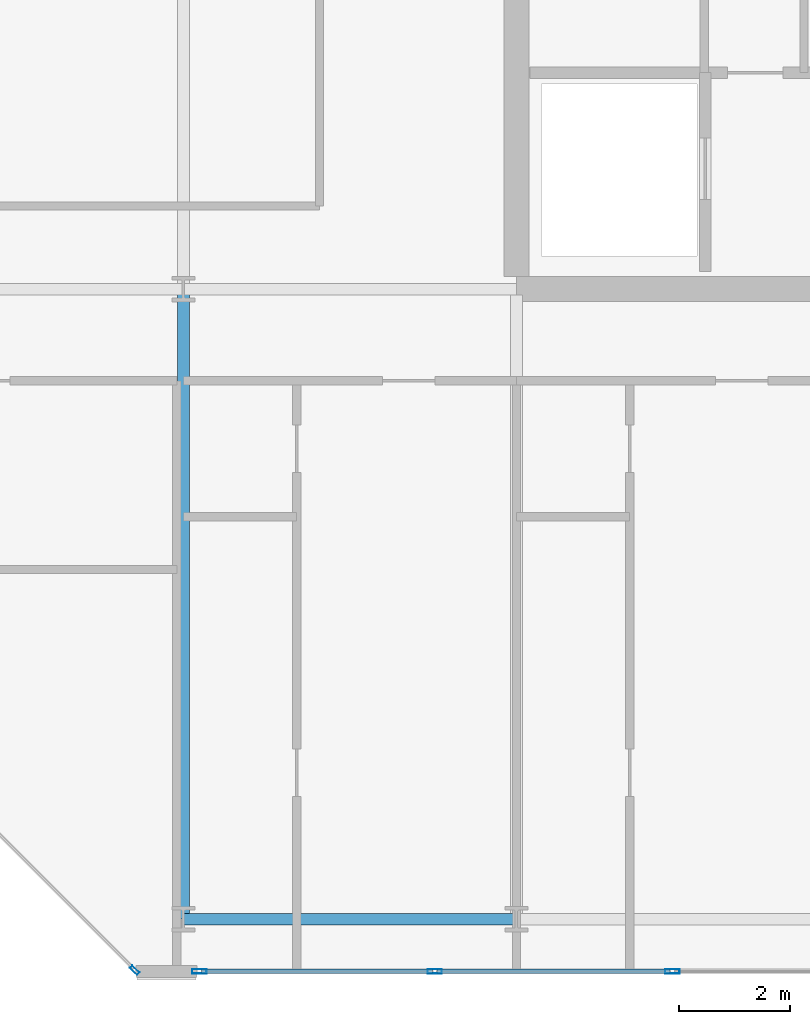
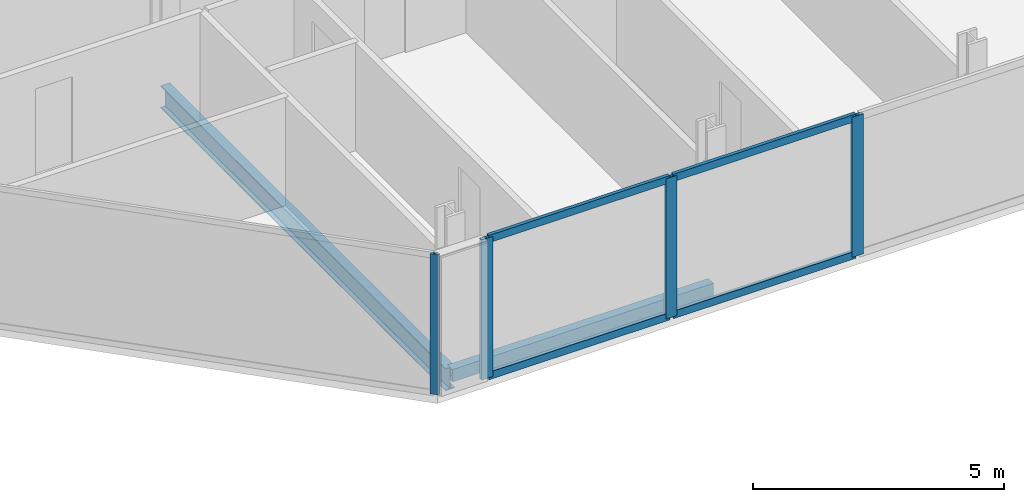
# One storey, part 4 of 19: 8 members, 2 beams, 2 elements without a shape of their own.
"""IFC4 building model written with IfcOpenShell, lengths in metres."""

import ifcopenshell
import ifcopenshell.guid

model = None  # the IFC model being written
_history = None  # IfcOwnerHistory: only IFC2X3 demands one
_inside = {}  # id of a spatial element -> (the spatial element, [elements in it])
_under = {}  # id of a project, library or spatial element -> (it, [spatial elements below it])
_declared = {}  # id of a project -> (the project, [libraries it declares])
_typed = {}  # id of a type object -> (the type object, [elements of that type])
_made_of = {}  # id of a material, layer set ... -> (it, [elements and type objects made of it])


def new_model(schema):
    """Start an empty IFC model of exactly this schema.

    Asked for "IFC4X3", IfcOpenShell would pick the latest addendum, in which some entities
    have other attributes; the version numbers below select the first issue.
    IFC2X3 requires an IfcOwnerHistory on every rooted entity: one is made here for all.
    """
    global model, _history
    if schema == "IFC4X3":
        model = ifcopenshell.file(schema_version=(4, 3, 0, 0))
    else:
        model = ifcopenshell.file(schema=schema)
    _inside.clear()
    _under.clear()
    _declared.clear()
    _typed.clear()
    _made_of.clear()
    _history = None
    if model.schema == "IFC2X3":
        org = make("IfcOrganization", Name="unknown")
        user = make(
            "IfcPersonAndOrganization",
            ThePerson=make("IfcPerson", FamilyName="unknown"),
            TheOrganization=org,
        )
        app = make(
            "IfcApplication",
            ApplicationDeveloper=org,
            Version="unknown",
            ApplicationFullName="unknown",
            ApplicationIdentifier="unknown",
        )
        _history = make(
            "IfcOwnerHistory",
            OwningUser=user,
            OwningApplication=app,
            ChangeAction="ADDED",
            CreationDate=0,
        )
    return model


def make(cls, **values):
    """One entity of the class cls with the attributes given. An attribute that is None is left unset."""
    return model.create_entity(
        cls, **{name: value for name, value in values.items() if value is not None}
    )


def rooted(cls, **values):
    """An entity with a GlobalId (a new one), such as an element, a storey or a relation."""
    return make(cls, GlobalId=ifcopenshell.guid.new(), OwnerHistory=_history, **values)


def si_unit(unit_type, name, prefix=None):
    """IfcSIUnit, for example si_unit("LENGTHUNIT", "METRE", prefix="MILLI")."""
    return make("IfcSIUnit", UnitType=unit_type, Prefix=prefix, Name=name)


def assignment(units):
    """IfcUnitAssignment: the units of a project."""
    return None if units is None else make("IfcUnitAssignment", Units=units)


def point(xyz):
    """IfcCartesianPoint."""
    return None if xyz is None else make("IfcCartesianPoint", Coordinates=xyz)


def direction(xyz):
    """IfcDirection."""
    return None if xyz is None else make("IfcDirection", DirectionRatios=xyz)


def frame(location, z_axis=None, x_axis=None):
    """IfcAxis2Placement3D, a coordinate frame: its origin and axes. An axis left out is left unset."""
    return make(
        "IfcAxis2Placement3D",
        Location=point(location),
        Axis=direction(z_axis),
        RefDirection=direction(x_axis),
    )


def frame_2d(location, x_axis=None):
    """IfcAxis2Placement2D, a coordinate frame in the plane: its origin and x axis."""
    return make(
        "IfcAxis2Placement2D", Location=point(location), RefDirection=direction(x_axis)
    )


def origin():
    """The frame at (0, 0, 0) with its axes left unset."""
    return frame((0.0, 0.0, 0.0))


def origin_2d():
    """The frame at (0, 0) in the plane with its x axis left unset."""
    return frame_2d((0.0, 0.0))


def place(relative_to, where):
    """IfcLocalPlacement: puts the frame where relative to a parent placement (None: the world)."""
    return make(
        "IfcLocalPlacement", PlacementRelTo=relative_to, RelativePlacement=where
    )


def context(
    kind, dimensions, precision=None, world=None, true_north=None, identifier=None
):
    """IfcGeometricRepresentationContext, for example the 3D "Model" context."""
    return make(
        "IfcGeometricRepresentationContext",
        ContextIdentifier=identifier,
        ContextType=kind,
        CoordinateSpaceDimension=dimensions,
        Precision=precision,
        WorldCoordinateSystem=world,
        TrueNorth=true_north,
    )


def subcontext(parent, identifier, kind, view, scale=None):
    """IfcGeometricRepresentationSubContext, for example "Body" below "Model"."""
    return make(
        "IfcGeometricRepresentationSubContext",
        ContextIdentifier=identifier,
        ContextType=kind,
        ParentContext=parent,
        TargetScale=scale,
        TargetView=view,
    )


def project(units=None, contexts=None):
    """IfcProject with its units and contexts."""
    return rooted(
        "IfcProject",
        Name="project",
        RepresentationContexts=contexts,
        UnitsInContext=assignment(units),
    )


def spatial(cls, under=None, at=None, **own):
    """A site, building, storey or space (cls), placed at a placement, below another one or the project."""
    s = rooted(cls, ObjectPlacement=at, **own)
    if under is not None:
        _under.setdefault(under.id(), (under, []))[1].append(s)
    return s


def profile(cls, at=None, kind="AREA", **sizes):
    """A parametric profile (cls). Its sizes go by their IFC names, for example OverallWidth=200.0."""
    return make(cls, ProfileType=kind, Position=at, **sizes)


def hollow_rectangle(**sizes):
    """IfcRectangleHollowProfileDef."""
    return profile("IfcRectangleHollowProfileDef", **sizes)


def i_section(**sizes):
    """IfcIShapeProfileDef."""
    return profile("IfcIShapeProfileDef", **sizes)


def extrude(swept, where, along, depth):
    """IfcExtrudedAreaSolid: the profile swept, set in the frame where, extruded along a direction by depth."""
    return make(
        "IfcExtrudedAreaSolid",
        SweptArea=swept,
        Position=where,
        ExtrudedDirection=direction(along),
        Depth=depth,
    )


def shape(context_of_items, identifier, shape_type, items):
    """IfcShapeRepresentation: the items that make up one representation, for example the "Body"."""
    return make(
        "IfcShapeRepresentation",
        ContextOfItems=context_of_items,
        RepresentationIdentifier=identifier,
        RepresentationType=shape_type,
        Items=items,
    )


def material(Name=None, Category=None):
    """IfcMaterial."""
    return make("IfcMaterial", Name=Name, Category=Category)


def layer(
    of_material, thickness, ventilated=None, Name=None, Category=None, Priority=None
):
    """IfcMaterialLayer: one layer of a wall or slab, of a material (None: an air gap)."""
    return make(
        "IfcMaterialLayer",
        Material=of_material,
        LayerThickness=thickness,
        IsVentilated=ventilated,
        Name=Name,
        Category=Category,
        Priority=Priority,
    )


def layer_set(layers, Name=None):
    """IfcMaterialLayerSet."""
    return make("IfcMaterialLayerSet", MaterialLayers=layers, LayerSetName=Name)


def material_profile(
    of_material, cross_section, Name=None, Category=None, Priority=None
):
    """IfcMaterialProfile: a cross section and its material."""
    return make(
        "IfcMaterialProfile",
        Name=Name,
        Material=of_material,
        Profile=cross_section,
        Priority=Priority,
        Category=Category,
    )


def profile_set(profiles, Name=None, composite=None):
    """IfcMaterialProfileSet."""
    return make(
        "IfcMaterialProfileSet",
        Name=Name,
        MaterialProfiles=profiles,
        CompositeProfile=composite,
    )


def made_of(thing, what):
    """Note that an element or type object is made of a material, layer set ...; save() writes the relation."""
    if what is not None:
        _made_of.setdefault(what.id(), (what, []))[1].append(thing)
    return thing


def type_object(cls, material=None, **own):
    """A type object (cls), such as IfcWallType, which elements share."""
    return made_of(rooted(cls, **own), material)


def element(
    cls,
    number,
    at=None,
    inside=None,
    cuts=None,
    type_object=None,
    material=None,
    context=None,
    identifier="Body",
    shape_type=None,
    held_by="IfcProductDefinitionShape",
    body=None,
    shapes=None,
    **own,
):
    """One element of the class cls, such as IfcWall. Its Tag is "e" and its number.

    at: its placement. inside: the storey or other place that contains it. cuts: it is an
    opening in that element (IfcRelVoidsElement). A single representation is given by context,
    identifier, shape_type and body (its items); several are given by shapes. held_by: the class
    of the entity that holds the representations. save() writes the other relations.
    """
    e = rooted(cls, Tag="e%d" % number, ObjectPlacement=at, **own)
    if body is not None:
        shapes = [shape(context, identifier, shape_type, body)]
    if shapes is not None:
        e.Representation = make(held_by, Representations=shapes)
    if inside is not None:
        _inside.setdefault(inside.id(), (inside, []))[1].append(e)
    if cuts is not None:
        rooted(
            "IfcRelVoidsElement", RelatingBuildingElement=cuts, RelatedOpeningElement=e
        )
    if type_object is not None:
        _typed.setdefault(type_object.id(), (type_object, []))[1].append(e)
    return made_of(e, material)


def aggregate(whole, parts):
    """IfcRelAggregates: a whole, such as a stair, and the parts it consists of."""
    return rooted("IfcRelAggregates", RelatingObject=whole, RelatedObjects=parts)


def save(model, path):
    """Write the relations noted so far, then the file.

    IfcRelAggregates (storeys below a building ...), IfcRelContainedInSpatialStructure (elements
    in a storey), IfcRelDefinesByType, IfcRelAssociatesMaterial and IfcRelDeclares: one each for
    every whole, place, type object, material and project.
    """
    for whole, parts in _under.values():
        aggregate(whole, parts)
    for where, things in _inside.values():
        rooted(
            "IfcRelContainedInSpatialStructure",
            RelatedElements=things,
            RelatingStructure=where,
        )
    for kind, things in _typed.values():
        rooted("IfcRelDefinesByType", RelatedObjects=things, RelatingType=kind)
    for what, things in _made_of.values():
        rooted("IfcRelAssociatesMaterial", RelatedObjects=things, RelatingMaterial=what)
    for by, libraries in _declared.values():
        rooted("IfcRelDeclares", RelatingContext=by, RelatedDefinitions=libraries)
    model.write(path)


model = new_model("IFC4")

# Units and contexts
model_context = context("Model", 3, precision=1e-05, world=origin(), true_north=direction((0.0, 1.0)))
body_context = subcontext(model_context, "Body", "Model", "MODEL_VIEW")
ifc_project = project(units=[si_unit("LENGTHUNIT", "METRE"), si_unit("AREAUNIT", "SQUARE_METRE"), si_unit("VOLUMEUNIT", "CUBIC_METRE"), si_unit("PLANEANGLEUNIT", "RADIAN"), si_unit("MASSUNIT", "GRAM", prefix="KILO")], contexts=[model_context])

# Site, building, storey
site_placement = place(None, origin())
site = spatial("IfcSite", under=ifc_project, at=site_placement, CompositionType="ELEMENT")
building_placement = place(site_placement, origin())
building = spatial("IfcBuilding", under=site, at=building_placement, Name="Tanjung Sevakor Pilgrim Tower", CompositionType="ELEMENT")
storey_placement = place(building_placement, frame((0.0, 0.0, 260.699951171875)))
storey = spatial("IfcBuildingStorey", under=building, at=storey_placement, Name="L73", CompositionType="ELEMENT", Elevation=260.699951171875)

# Beams
ifc_material_1 = material(Name="Steel S355J2", Category="steel")
ifc_material_profile_1 = material_profile(ifc_material_1, i_section(OverallWidth=0.210693359375, OverallDepth=0.53955078125, WebThickness=0.01171875, FlangeThickness=0.018798828125, FilletRadius=0.0126953125, at=origin_2d()))
ifc_profile_set_1 = profile_set([ifc_material_profile_1], Name="Steel S355J2")
beam_type_1 = type_object("IfcBeamType", Name="BM-B-G6-UB_533x210x109", PredefinedType="BEAM", material=ifc_profile_set_1)
beam_1_placement = place(storey_placement, frame((72.0, 13.25, -0.48974609375), z_axis=(0.0, 1.0, 0.0), x_axis=(-1.0, 0.0, 0.0)))
element("IfcBeam", 1, at=beam_1_placement, inside=storey, type_object=beam_type_1, Name="L73 EAST Girder 002", PredefinedType="BEAM", context=body_context, shape_type="SweptSolid", body=[
    extrude(i_section(OverallWidth=0.210693359375, OverallDepth=0.53955078125, WebThickness=0.01171875, FlangeThickness=0.018798828125, FilletRadius=0.0126953125, at=origin_2d()), origin(), (0.0, 0.0, 1.0), 11.35009765625),
])
ifc_material_2 = material(Name="Steel S355J2", Category="steel")
ifc_material_profile_2 = material_profile(ifc_material_2, hollow_rectangle(XDim=0.199951171875, YDim=0.300048828125, WallThickness=0.012451171875, at=origin_2d()))
ifc_profile_set_2 = profile_set([ifc_material_profile_2], Name="Steel S355J2")
beam_type_2 = type_object("IfcBeamType", Name="BM-B-SP3-RHS_300x200x12.5", PredefinedType="SPANDREL", material=ifc_profile_set_2)
beam_2_placement = place(storey_placement, frame((72.0, 13.25, -0.369873046875), z_axis=(1.0, 0.0, 0.0), x_axis=(0.0, 1.0, 0.0)))
element("IfcBeam", 2, at=beam_2_placement, inside=storey, type_object=beam_type_2, Name="L73 Spandrel EAST S-01", PredefinedType="SPANDREL", context=body_context, shape_type="SweptSolid", body=[
    extrude(hollow_rectangle(XDim=0.199951171875, YDim=0.300048828125, WallThickness=0.012451171875, at=origin_2d()), origin(), (0.0, 0.0, 1.0), 6.0),
])

# Curtain wall, member
ifc_material_3 = material(Name="Aluminium 6063-T6 and Low-E Glass", Category="aluminium")
ifc_layer_1 = layer(ifc_material_3, 0.179931640625)
ifc_layer_set_1 = layer_set([ifc_layer_1], Name="CW-SYS-CHAM")
curtain_wall_type_1 = type_object("IfcCurtainWallType", Name="CW-SYS-CHAM", PredefinedType="NOTDEFINED", material=ifc_layer_set_1)
curtain_wall_1_placement = place(storey_placement, origin())
curtain_wall_1 = element("IfcCurtainWall", 3, at=curtain_wall_1_placement, inside=storey, type_object=curtain_wall_type_1, Name="L73 Curtain Wall CW-CHM-L73-EAST-7", PredefinedType="NOTDEFINED")
ifc_material_4 = material(Name="Aluminium 6063-T6", Category="aluminium")
ifc_material_profile_3 = material_profile(ifc_material_4, hollow_rectangle(XDim=0.06494140625, YDim=0.179931640625, WallThickness=0.00390625, at=origin_2d()))
ifc_profile_set_3 = profile_set([ifc_material_profile_3], Name="Aluminium 6063-T6")
member_type_1 = type_object("IfcMemberType", Name="TYPE-CWM-1", PredefinedType="MULLION", material=ifc_profile_set_3)
member_1_placement = place(storey_placement, frame((71.12255859375, 12.3330078125, 0.0), z_axis=(0.0, 0.0, 1.0), x_axis=(0.707106781187, 0.707106781187, 0.0)))
member_1 = element("IfcMember", 4, at=member_1_placement, type_object=member_type_1, Name="CW-CHM mullion 2", PredefinedType="MULLION", context=body_context, shape_type="SweptSolid", body=[
    extrude(hollow_rectangle(XDim=0.06494140625, YDim=0.179931640625, WallThickness=0.00390625, at=origin_2d()), origin(), (0.0, 0.0, 1.0), 3.41015625),
])
aggregate(curtain_wall_1, [member_1])

# Curtain wall, members
ifc_material_5 = material(Name="Aluminium 6063-T6 and Low-E Glass", Category="aluminium")
ifc_layer_2 = layer(ifc_material_5, 0.219970703125)
ifc_layer_set_2 = layer_set([ifc_layer_2], Name="CW-SYS-CRNE")
curtain_wall_type_2 = type_object("IfcCurtainWallType", Name="CW-SYS-CRNE", PredefinedType="NOTDEFINED", material=ifc_layer_set_2)
curtain_wall_2_placement = place(storey_placement, origin())
curtain_wall_2 = element("IfcCurtainWall", 5, at=curtain_wall_2_placement, inside=storey, type_object=curtain_wall_type_2, Name="L73 Curtain Wall CW-CRN-L73-EAST-0-1", PredefinedType="NOTDEFINED")
ifc_material_6 = material(Name="Aluminium 6063-T6", Category="aluminium")
ifc_material_profile_4 = material_profile(ifc_material_6, hollow_rectangle(XDim=0.080078125, YDim=0.260009765625, WallThickness=0.0048828125, at=origin_2d()))
ifc_profile_set_4 = profile_set([ifc_material_profile_4], Name="Aluminium 6063-T6")
member_type_2 = type_object("IfcMemberType", Name="TYPE-CWM-3", PredefinedType="MULLION", material=ifc_profile_set_4)
member_2_placement = place(storey_placement, frame((72.28564453125, 12.31005859375, 0.0), z_axis=(0.0, 0.0, 1.0), x_axis=(0.0, 1.0, 0.0)))
member_2 = element("IfcMember", 6, at=member_2_placement, type_object=member_type_2, Name="CW-CRE mullion 1", PredefinedType="MULLION", context=body_context, shape_type="SweptSolid", body=[
    extrude(hollow_rectangle(XDim=0.080078125, YDim=0.260009765625, WallThickness=0.0048828125, at=origin_2d()), origin(), (0.0, 0.0, 1.0), 3.41015625),
])
member_3_placement = place(storey_placement, frame((76.52734375, 12.31005859375, 0.0), z_axis=(0.0, 0.0, 1.0), x_axis=(0.0, 1.0, 0.0)))
member_3 = element("IfcMember", 7, at=member_3_placement, type_object=member_type_2, Name="CW-CRE mullion 2", PredefinedType="MULLION", context=body_context, shape_type="SweptSolid", body=[
    extrude(hollow_rectangle(XDim=0.080078125, YDim=0.260009765625, WallThickness=0.0048828125, at=origin_2d()), origin(), (0.0, 0.0, 1.0), 3.41015625),
])
member_4_placement = place(storey_placement, frame((80.80908203125, 12.31005859375, 0.0), z_axis=(0.0, 0.0, 1.0), x_axis=(0.0, 1.0, 0.0)))
member_4 = element("IfcMember", 8, at=member_4_placement, type_object=member_type_2, Name="CW-CRE mullion 3", PredefinedType="MULLION", context=body_context, shape_type="SweptSolid", body=[
    extrude(hollow_rectangle(XDim=0.080078125, YDim=0.260009765625, WallThickness=0.0048828125, at=origin_2d()), origin(), (0.0, 0.0, 1.0), 3.41015625),
])
ifc_material_7 = material(Name="Aluminium 6063-T6", Category="aluminium")
ifc_material_profile_5 = material_profile(ifc_material_7, hollow_rectangle(XDim=0.080078125, YDim=0.179931640625, WallThickness=0.0048828125, at=origin_2d()))
ifc_profile_set_5 = profile_set([ifc_material_profile_5], Name="Aluminium 6063-T6")
member_type_3 = type_object("IfcMemberType", Name="TYPE-CWT-3", PredefinedType="USERDEFINED", material=ifc_profile_set_5)
member_5_placement = place(storey_placement, frame((72.32568359375, 12.31005859375, 0.0400390625), z_axis=(1.0, 0.0, 0.0), x_axis=(0.0, 1.0, 0.0)))
member_5 = element("IfcMember", 9, at=member_5_placement, type_object=member_type_3, Name="CW-CRE transom 1.1", ObjectType="TRANSOM", PredefinedType="USERDEFINED", context=body_context, shape_type="SweptSolid", body=[
    extrude(hollow_rectangle(XDim=0.080078125, YDim=0.179931640625, WallThickness=0.0048828125, at=origin_2d()), origin(), (0.0, 0.0, 1.0), 4.16162109375),
])
member_6_placement = place(storey_placement, frame((72.32568359375, 12.31005859375, 3.3701171875), z_axis=(1.0, 0.0, 0.0), x_axis=(0.0, 1.0, 0.0)))
member_6 = element("IfcMember", 10, at=member_6_placement, type_object=member_type_3, Name="CW-CRE transom 1.2", ObjectType="TRANSOM", PredefinedType="USERDEFINED", context=body_context, shape_type="SweptSolid", body=[
    extrude(hollow_rectangle(XDim=0.080078125, YDim=0.179931640625, WallThickness=0.0048828125, at=origin_2d()), origin(), (0.0, 0.0, 1.0), 4.16162109375),
])
member_7_placement = place(storey_placement, frame((76.5673828125, 12.31005859375, 0.0400390625), z_axis=(1.0, 0.0, 0.0), x_axis=(0.0, 1.0, 0.0)))
member_7 = element("IfcMember", 11, at=member_7_placement, type_object=member_type_3, Name="CW-CRE transom 2.1", ObjectType="TRANSOM", PredefinedType="USERDEFINED", context=body_context, shape_type="SweptSolid", body=[
    extrude(hollow_rectangle(XDim=0.080078125, YDim=0.179931640625, WallThickness=0.0048828125, at=origin_2d()), origin(), (0.0, 0.0, 1.0), 4.20166015625),
])
member_8_placement = place(storey_placement, frame((76.5673828125, 12.31005859375, 3.3701171875), z_axis=(1.0, 0.0, 0.0), x_axis=(0.0, 1.0, 0.0)))
member_8 = element("IfcMember", 12, at=member_8_placement, type_object=member_type_3, Name="CW-CRE transom 2.2", ObjectType="TRANSOM", PredefinedType="USERDEFINED", context=body_context, shape_type="SweptSolid", body=[
    extrude(hollow_rectangle(XDim=0.080078125, YDim=0.179931640625, WallThickness=0.0048828125, at=origin_2d()), origin(), (0.0, 0.0, 1.0), 4.20166015625),
])
aggregate(curtain_wall_2, [member_2, member_3, member_4, member_5, member_6, member_7, member_8])

save(model, "model.ifc")
